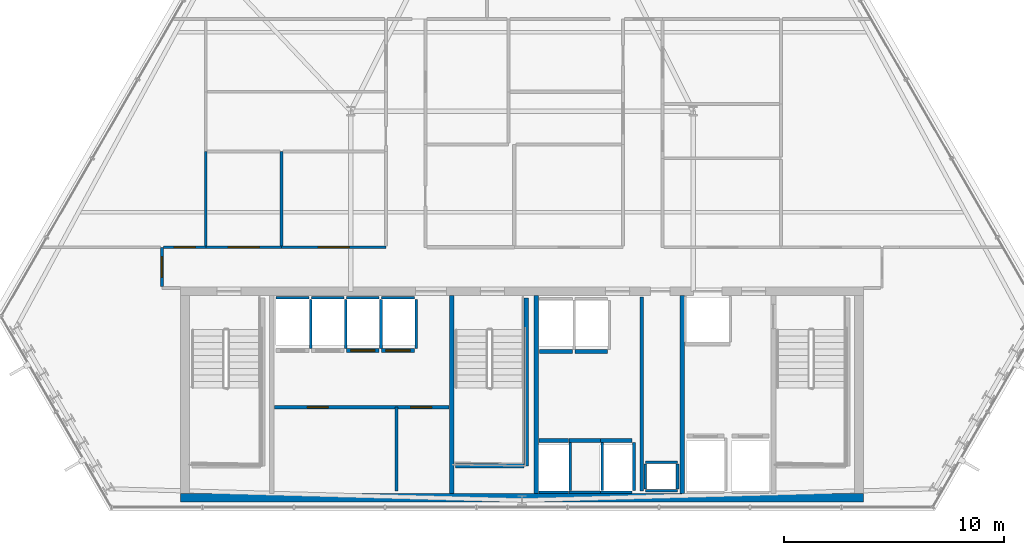
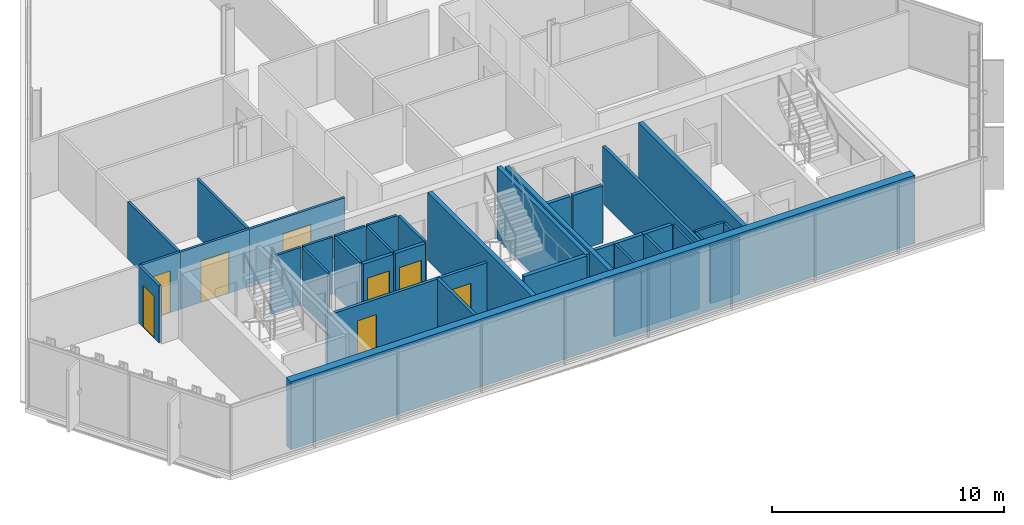
# One storey, part 28 of 35: 40 walls, 8 doors, 8 openings.
"""IFC4 building model written with IfcOpenShell, lengths in metres."""

from ifc_helpers import new_model, si_unit, direction, frame, frame_2d, origin, place, context, subcontext, project, spatial, rectangle, extrude, material, layer, layer_set, type_object, element, fill, save


model = new_model("IFC4")

# Units and contexts
model_context = context("Model", 3, precision=1e-05, world=origin(), true_north=direction((0.0, 1.0)))
body_context = subcontext(model_context, "Body", "Model", "MODEL_VIEW")
ifc_project = project(units=[si_unit("LENGTHUNIT", "METRE"), si_unit("AREAUNIT", "SQUARE_METRE"), si_unit("VOLUMEUNIT", "CUBIC_METRE"), si_unit("PLANEANGLEUNIT", "RADIAN"), si_unit("MASSUNIT", "GRAM", prefix="KILO")], contexts=[model_context])

# Site, building, storey
site_placement = place(None, origin())
site = spatial("IfcSite", under=ifc_project, at=site_placement, CompositionType="ELEMENT")
building_placement = place(site_placement, origin())
building = spatial("IfcBuilding", under=site, at=building_placement, Name="Ndaravel Arena Tower", CompositionType="ELEMENT")
storey_placement = place(building_placement, frame((0.0, 0.0, 172.60009765625)))
storey = spatial("IfcBuildingStorey", under=building, at=storey_placement, Name="L41", CompositionType="ELEMENT", Elevation=172.60009765625)

# Wall
ifc_material_1 = material(Name="Gypsum", Category="gypsum")
ifc_layer_1 = layer(ifc_material_1, 0.14990234375)
ifc_layer_set_1 = layer_set([ifc_layer_1], Name="Gypsum")
wall_type_1 = type_object("IfcWallType", Name="WALL-COMP-150", PredefinedType="PARTITIONING", material=ifc_layer_set_1)
wall_1_placement = place(storey_placement, frame((47.449951171875, 5.89990234375, 0.0), z_axis=(0.0, 0.0, 1.0), x_axis=(0.0, 1.0, 0.0)))
element("IfcWall", 1, at=wall_1_placement, inside=storey, type_object=wall_type_1, Name="L41 Core Riser Bay Partition", PredefinedType="PARTITIONING", context=body_context, shape_type="SweptSolid", body=[
    extrude(rectangle(XDim=8.85009765625, YDim=0.14990234375, at=frame_2d((4.425048828125, 0.0))), origin(), (0.0, 0.0, 1.0), 3.010498046875),
])

# Wall, openings, doors
wall_2_placement = place(storey_placement, frame((30.719970703125, 9.719970703125, 0.0), z_axis=(0.0, 0.0, 1.0), x_axis=(1.0, 0.0, 0.0)))
wall_2 = element("IfcWall", 2, at=wall_2_placement, inside=storey, type_object=wall_type_1, Name="L41 Reclaimed Shaft Partition", PredefinedType="PARTITIONING", context=body_context, shape_type="SweptSolid", body=[
    extrude(rectangle(XDim=7.9599609375, YDim=0.14990234375, at=frame_2d((3.97998046875, 0.0))), origin(), (0.0, 0.0, 1.0), 3.010498046875),
])
opening_1_placement = place(wall_2_placement, frame((1.5, 0.0, 0.0)))
opening_1 = element("IfcOpeningElement", 3, at=opening_1_placement, cuts=wall_2, Name="Opening FD-03", PredefinedType="OPENING", context=body_context, shape_type="SweptSolid", body=[
    extrude(rectangle(XDim=0.949951171875, YDim=2.199951171875, at=frame_2d((0.47509765625, 1.10009765625))), frame((0.0, 0.074951171875, 0.0), z_axis=(0.0, -1.0, 0.0), x_axis=(1.0, 0.0, 0.0)), (0.0, 0.0, 1.0), 0.14990234375),
])
opening_2_placement = place(wall_2_placement, frame((6.2099609375, 0.0, 0.0)))
opening_2 = element("IfcOpeningElement", 4, at=opening_2_placement, cuts=wall_2, Name="Opening FD-03", PredefinedType="OPENING", context=body_context, shape_type="SweptSolid", body=[
    extrude(rectangle(XDim=0.949951171875, YDim=2.199951171875, at=frame_2d((0.47509765625, 1.10009765625))), frame((0.0, 0.074951171875, 0.0), z_axis=(0.0, -1.0, 0.0), x_axis=(1.0, 0.0, 0.0)), (0.0, 0.0, 1.0), 0.14990234375),
])
ifc_material_2 = material(Name="Steel S355", Category="steel")
door_type_1 = type_object("IfcDoorType", Name="DT-11-CORE-950", OperationType="SINGLE_SWING_LEFT", PredefinedType="DOOR", material=ifc_material_2)
door_1_placement = place(opening_1_placement, origin())
door_1 = element("IfcDoor", 5, at=door_1_placement, inside=storey, type_object=door_type_1, Name="L41 ICT Server Room Door", OperationType="SINGLE_SWING_LEFT", OverallHeight=2.199951171875, OverallWidth=0.949951171875, PredefinedType="DOOR", context=body_context, shape_type="SweptSolid", body=[
    extrude(rectangle(XDim=0.949951171875, YDim=2.199951171875, at=frame_2d((0.47509765625, 1.10009765625))), frame((0.0, 0.02490234375, 0.0), z_axis=(0.0, -1.0, 0.0), x_axis=(1.0, 0.0, 0.0)), (0.0, 0.0, 1.0), 0.050048828125),
])
fill(opening_1, door_1)
door_2_placement = place(opening_2_placement, origin())
door_2 = element("IfcDoor", 6, at=door_2_placement, inside=storey, type_object=door_type_1, Name="L41 Core Archive Room Door", OperationType="SINGLE_SWING_RIGHT", OverallHeight=2.199951171875, OverallWidth=0.949951171875, PredefinedType="DOOR", context=body_context, shape_type="SweptSolid", body=[
    extrude(rectangle(XDim=0.949951171875, YDim=2.199951171875, at=frame_2d((0.47509765625, 1.10009765625))), frame((0.0, 0.02490234375, 0.0), z_axis=(0.0, -1.0, 0.0), x_axis=(1.0, 0.0, 0.0)), (0.0, 0.0, 1.0), 0.050048828125),
])
fill(opening_2, door_2)

# Walls
wall_3_placement = place(storey_placement, frame((36.280029296875, 5.89990234375, 0.0), z_axis=(0.0, 0.0, 1.0), x_axis=(0.0, 1.0, 0.0)))
element("IfcWall", 7, at=wall_3_placement, inside=storey, type_object=wall_type_1, Name="L41 Reclaimed Bay Divider", PredefinedType="PARTITIONING", context=body_context, shape_type="SweptSolid", body=[
    extrude(rectangle(XDim=3.820068359375, YDim=0.14990234375, at=frame_2d((1.91015625, 0.0))), origin(), (0.0, 0.0, 1.0), 3.010498046875),
])
ifc_material_3 = material(Name="Concrete C50/60", Category="concrete")
ifc_layer_2 = layer(ifc_material_3, 0.219970703125)
ifc_layer_set_2 = layer_set([ifc_layer_2], Name="Concrete C50/60")
wall_type_2 = type_object("IfcWallType", Name="WALL-CORE-220", PredefinedType="SOLIDWALL", material=ifc_layer_set_2)
for number, where, z_axis, x_axis, name in (
    (8, (38.800048828125, 5.800048828125, 0.0), (0.0, 0.0, 1.0), (0.0, 1.0, 0.0), "L41 Core Web Shear Wall 2"),
    (9, (42.64990234375, 5.800048828125, 0.0), (0.0, 0.0, 1.0), (0.0, 1.0, 0.0), "L41 Core Web Shear Wall 3"),
    (10, (49.300048828125, 5.800048828125, 0.0), (0.0, 0.0, 1.0), (0.0, 1.0, 0.0), "L41 Core Web Shear Wall 4"),
):
    element("IfcWall", number, at=place(storey_placement, frame(where, z_axis=z_axis, x_axis=x_axis)), inside=storey, type_object=wall_type_2, Name=name, PredefinedType="SOLIDWALL", context=body_context, shape_type="SweptSolid", body=[
        extrude(rectangle(XDim=9.0, YDim=0.219970703125, at=frame_2d((4.5, 0.0))), origin(), (0.0, 0.0, 1.0), 3.579833984375),
    ])
ifc_material_4 = material(Name="Concrete C50/60", Category="concrete")
ifc_layer_3 = layer(ifc_material_4, 0.39990234375)
ifc_layer_set_3 = layer_set([ifc_layer_3], Name="Concrete C50/60")
wall_type_3 = type_object("IfcWallType", Name="WALL-CORE-400", PredefinedType="SOLIDWALL", material=ifc_layer_set_3)
wall_4_placement = place(storey_placement, frame((26.449951171875, 5.60009765625, 0.0), z_axis=(0.0, 0.0, 1.0), x_axis=(1.0, 0.0, 0.0)))
element("IfcWall", 11, at=wall_4_placement, inside=storey, type_object=wall_type_3, Name="L41 Core South Shear Wall", PredefinedType="SOLIDWALL", context=body_context, shape_type="SweptSolid", body=[
    extrude(rectangle(XDim=31.10009765625, YDim=0.39990234375, at=frame_2d((15.550048828125, 0.0))), origin(), (0.0, 0.0, 1.0), 3.579833984375),
])

# Wall, opening, door
ifc_material_5 = material(Name="Gypsum", Category="gypsum")
ifc_layer_4 = layer(ifc_material_5, 0.125)
ifc_layer_set_4 = layer_set([ifc_layer_4], Name="Gypsum")
wall_type_4 = type_object("IfcWallType", Name="WALL-PART-125", PredefinedType="PARTITIONING", material=ifc_layer_set_4)
wall_5_placement = place(storey_placement, frame((25.60009765625, 15.215087890625, 0.0), z_axis=(0.0, 0.0, 1.0), x_axis=(0.0, 1.0, 0.0)))
wall_5 = element("IfcWall", 12, at=wall_5_placement, inside=storey, type_object=wall_type_4, Name="L41 Interior Partition 004", PredefinedType="PARTITIONING", context=body_context, shape_type="SweptSolid", body=[
    extrude(rectangle(XDim=1.784912109375, YDim=0.125, at=frame_2d((0.892578125, 0.0))), origin(), (0.0, 0.0, 1.0), 3.010498046875),
])
opening_3_placement = place(wall_5_placement, frame((0.41748046875, 0.0, 0.0)))
opening_3 = element("IfcOpeningElement", 13, at=opening_3_placement, cuts=wall_5, Name="Opening ID-01", PredefinedType="OPENING", context=body_context, shape_type="SweptSolid", body=[
    extrude(rectangle(XDim=0.949951171875, YDim=2.199951171875, at=frame_2d((0.47509765625, 1.10009765625))), frame((0.0, 0.0625, 0.0), z_axis=(0.0, -1.0, 0.0), x_axis=(1.0, 0.0, 0.0)), (0.0, 0.0, 1.0), 0.125),
])
ifc_material_6 = material(Name="Timber", Category="wood")
door_type_2 = type_object("IfcDoorType", Name="DT-03-OFFICE-950", OperationType="SINGLE_SWING_LEFT", PredefinedType="DOOR", material=ifc_material_6)
door_3_placement = place(opening_3_placement, origin())
door_3 = element("IfcDoor", 14, at=door_3_placement, inside=storey, type_object=door_type_2, Name="L41 Executive Boardroom Door", OperationType="SINGLE_SWING_RIGHT", OverallHeight=2.199951171875, OverallWidth=0.949951171875, PredefinedType="DOOR", context=body_context, shape_type="SweptSolid", body=[
    extrude(rectangle(XDim=0.949951171875, YDim=2.199951171875, at=frame_2d((0.47509765625, 1.10009765625))), frame((0.0, 0.02490234375, 0.0), z_axis=(0.0, -1.0, 0.0), x_axis=(1.0, 0.0, 0.0)), (0.0, 0.0, 1.0), 0.050048828125),
])
fill(opening_3, door_3)

wall_6_placement = place(storey_placement, frame((25.6650390625, 17.0, 0.0), z_axis=(0.0, 0.0, 1.0), x_axis=(1.0, 0.0, 0.0)))
wall_6 = element("IfcWall", 15, at=wall_6_placement, inside=storey, type_object=wall_type_4, Name="L41 Interior Partition 005", PredefinedType="PARTITIONING", context=body_context, shape_type="SweptSolid", body=[
    extrude(rectangle(XDim=1.93505859375, YDim=0.125, at=frame_2d((0.967529296875, 0.0))), origin(), (0.0, 0.0, 1.0), 3.010498046875),
])
opening_4_placement = place(wall_6_placement, frame((0.492431640625, 0.0, 0.0)))
opening_4 = element("IfcOpeningElement", 16, at=opening_4_placement, cuts=wall_6, Name="Opening ID-01", PredefinedType="OPENING", context=body_context, shape_type="SweptSolid", body=[
    extrude(rectangle(XDim=0.949951171875, YDim=2.199951171875, at=frame_2d((0.47509765625, 1.10009765625))), frame((0.0, 0.0625, 0.0), z_axis=(0.0, -1.0, 0.0), x_axis=(1.0, 0.0, 0.0)), (0.0, 0.0, 1.0), 0.125),
])
door_4_placement = place(opening_4_placement, origin())
door_4 = element("IfcDoor", 17, at=door_4_placement, inside=storey, type_object=door_type_2, Name="L41 Refreshment Kiosk 2 Door", OperationType="SINGLE_SWING_LEFT", OverallHeight=2.199951171875, OverallWidth=0.949951171875, PredefinedType="DOOR", context=body_context, shape_type="SweptSolid", body=[
    extrude(rectangle(XDim=0.949951171875, YDim=2.199951171875, at=frame_2d((0.47509765625, 1.10009765625))), frame((0.0, 0.02490234375, 0.0), z_axis=(0.0, -1.0, 0.0), x_axis=(1.0, 0.0, 0.0)), (0.0, 0.0, 1.0), 0.050048828125),
])
fill(opening_4, door_4)

wall_7_placement = place(storey_placement, frame((27.60009765625, 17.0, 0.0), z_axis=(0.0, 0.0, 1.0), x_axis=(1.0, 0.0, 0.0)))
wall_7 = element("IfcWall", 18, at=wall_7_placement, inside=storey, type_object=wall_type_4, Name="L41 Interior Partition 006", PredefinedType="PARTITIONING", context=body_context, shape_type="SweptSolid", body=[
    extrude(rectangle(XDim=3.44384765625, YDim=0.125, at=frame_2d((1.721923828125, 0.0))), origin(), (0.0, 0.0, 1.0), 3.010498046875),
])
opening_5_placement = place(wall_7_placement, frame((1.02197265625, 0.0, 0.0)))
opening_5 = element("IfcOpeningElement", 19, at=opening_5_placement, cuts=wall_7, Name="Opening ID-02", PredefinedType="OPENING", context=body_context, shape_type="SweptSolid", body=[
    extrude(rectangle(XDim=1.39990234375, YDim=2.199951171875, at=frame_2d((0.699951171875, 1.10009765625))), frame((0.0, 0.0625, 0.0), z_axis=(0.0, -1.0, 0.0), x_axis=(1.0, 0.0, 0.0)), (0.0, 0.0, 1.0), 0.125),
])
ifc_material_7 = material(Name="Timber", Category="wood")
door_type_3 = type_object("IfcDoorType", Name="DT-04-SUITE-1400", OperationType="DOUBLE_DOOR_SINGLE_SWING", PredefinedType="DOOR", material=ifc_material_7)
door_5_placement = place(opening_5_placement, origin())
door_5 = element("IfcDoor", 20, at=door_5_placement, inside=storey, type_object=door_type_3, Name="L41 Visitor Reception Desk Door", OperationType="SINGLE_SWING_LEFT", OverallHeight=2.199951171875, OverallWidth=1.39990234375, PredefinedType="DOOR", context=body_context, shape_type="SweptSolid", body=[
    extrude(rectangle(XDim=1.39990234375, YDim=2.199951171875, at=frame_2d((0.699951171875, 1.10009765625))), frame((0.0, 0.02490234375, 0.0), z_axis=(0.0, -1.0, 0.0), x_axis=(1.0, 0.0, 0.0)), (0.0, 0.0, 1.0), 0.050048828125),
])
fill(opening_5, door_5)

wall_8_placement = place(storey_placement, frame((31.0439453125, 17.0, 0.0), z_axis=(0.0, 0.0, 1.0), x_axis=(1.0, 0.0, 0.0)))
wall_8 = element("IfcWall", 21, at=wall_8_placement, inside=storey, type_object=wall_type_4, Name="L41 Interior Partition 007", PredefinedType="PARTITIONING", context=body_context, shape_type="SweptSolid", body=[
    extrude(rectangle(XDim=4.756103515625, YDim=0.125, at=frame_2d((2.3779296875, 0.0))), origin(), (0.0, 0.0, 1.0), 3.010498046875),
])
opening_6_placement = place(wall_8_placement, frame((1.677978515625, 0.0, 0.0)))
opening_6 = element("IfcOpeningElement", 22, at=opening_6_placement, cuts=wall_8, Name="Opening ID-02", PredefinedType="OPENING", context=body_context, shape_type="SweptSolid", body=[
    extrude(rectangle(XDim=1.39990234375, YDim=2.199951171875, at=frame_2d((0.699951171875, 1.10009765625))), frame((0.0, 0.0625, 0.0), z_axis=(0.0, -1.0, 0.0), x_axis=(1.0, 0.0, 0.0)), (0.0, 0.0, 1.0), 0.125),
])
door_6_placement = place(opening_6_placement, origin())
door_6 = element("IfcDoor", 23, at=door_6_placement, inside=storey, type_object=door_type_3, Name="L41 Client Conference Room 2 Door", OperationType="SINGLE_SWING_RIGHT", OverallHeight=2.199951171875, OverallWidth=1.39990234375, PredefinedType="DOOR", context=body_context, shape_type="SweptSolid", body=[
    extrude(rectangle(XDim=1.39990234375, YDim=2.199951171875, at=frame_2d((0.699951171875, 1.10009765625))), frame((0.0, 0.02490234375, 0.0), z_axis=(0.0, -1.0, 0.0), x_axis=(1.0, 0.0, 0.0)), (0.0, 0.0, 1.0), 0.050048828125),
])
fill(opening_6, door_6)

# Walls
for number, where, z_axis, x_axis, name in (
    (24, (31.0439453125, 21.367919921875, 0.0), (0.0, 0.0, 1.0), (0.0, -1.0, 0.0), "L41 Interior Partition 030"),
    (25, (27.60009765625, 17.06494140625, 0.0), (0.0, 0.0, 1.0), (0.0, 1.0, 0.0), "L41 Interior Partition 031"),
):
    element("IfcWall", number, at=place(storey_placement, frame(where, z_axis=z_axis, x_axis=x_axis)), inside=storey, type_object=wall_type_4, Name=name, PredefinedType="PARTITIONING", context=body_context, shape_type="SweptSolid", body=[
        extrude(rectangle(XDim=4.302978515625, YDim=0.125, at=frame_2d((2.1513671875, 0.0))), origin(), (0.0, 0.0, 1.0), 3.010498046875),
    ])
ifc_material_8 = material(Name="Concrete C40/50", Category="concrete")
ifc_layer_5 = layer(ifc_material_8, 0.1201171875)
ifc_layer_set_5 = layer_set([ifc_layer_5], Name="Concrete C40/50")
wall_type_5 = type_object("IfcWallType", Name="WALL-SHAFT-120", PredefinedType="SOLIDWALL", material=ifc_layer_set_5)
for number, where, z_axis, x_axis, name in (
    (26, (47.6201171875, 5.919921875, 0.0), (0.0, 0.0, 1.0), (1.0, 0.0, 0.0), "L41 MEP Riser Shaft S Wall"),
    (27, (47.6201171875, 7.219970703125, 0.0), (0.0, 0.0, 1.0), (1.0, 0.0, 0.0), "L41 MEP Riser Shaft N Wall"),
):
    element("IfcWall", number, at=place(storey_placement, frame(where, z_axis=z_axis, x_axis=x_axis)), inside=storey, type_object=wall_type_5, Name=name, PredefinedType="SOLIDWALL", context=body_context, shape_type="SweptSolid", body=[
        extrude(rectangle(XDim=1.4599609375, YDim=0.1201171875, at=frame_2d((0.72998046875, 0.0))), origin(), (0.0, 0.0, 1.0), 3.010498046875),
    ])
for number, where, z_axis, x_axis, name in (
    (28, (47.6201171875, 6.0, 0.0), (0.0, 0.0, 1.0), (0.0, 1.0, 0.0), "L41 MEP Riser Shaft W Wall"),
    (29, (49.080078125, 6.0, 0.0), (0.0, 0.0, 1.0), (0.0, 1.0, 0.0), "L41 MEP Riser Shaft E Wall"),
):
    element("IfcWall", number, at=place(storey_placement, frame(where, z_axis=z_axis, x_axis=x_axis)), inside=storey, type_object=wall_type_5, Name=name, PredefinedType="SOLIDWALL", context=body_context, shape_type="SweptSolid", body=[
        extrude(rectangle(XDim=1.139892578125, YDim=0.1201171875, at=frame_2d((0.56982421875, 0.0))), origin(), (0.0, 0.0, 1.0), 3.010498046875),
    ])
wall_9_placement = place(storey_placement, frame((30.804931640625, 14.7099609375, 0.0), z_axis=(0.0, 0.0, 1.0), x_axis=(1.0, 0.0, 0.0)))
element("IfcWall", 30, at=wall_9_placement, inside=storey, type_object=wall_type_5, Name="L41 PL-M1 Shaft Rear Wall", PredefinedType="SOLIDWALL", context=body_context, shape_type="SweptSolid", body=[
    extrude(rectangle(XDim=1.489990234375, YDim=0.1201171875, at=frame_2d((0.7451171875, 0.0))), origin(), (0.0, 0.0, 1.0), 3.010498046875),
])
wall_10_placement = place(storey_placement, frame((32.375, 12.389892578125, 0.0), z_axis=(0.0, 0.0, 1.0), x_axis=(0.0, 1.0, 0.0)))
element("IfcWall", 31, at=wall_10_placement, inside=storey, type_object=wall_type_5, Name="L41 PL-M1 Shaft Side R Wall", PredefinedType="SOLIDWALL", context=body_context, shape_type="SweptSolid", body=[
    extrude(rectangle(XDim=2.230224609375, YDim=0.1201171875, at=frame_2d((1.115234375, 0.0))), origin(), (0.0, 0.0, 1.0), 3.010498046875),
])
wall_11_placement = place(storey_placement, frame((32.405029296875, 14.7099609375, 0.0), z_axis=(0.0, 0.0, 1.0), x_axis=(1.0, 0.0, 0.0)))
element("IfcWall", 32, at=wall_11_placement, inside=storey, type_object=wall_type_5, Name="L41 PL-M2 Shaft Rear Wall", PredefinedType="SOLIDWALL", context=body_context, shape_type="SweptSolid", body=[
    extrude(rectangle(XDim=1.489990234375, YDim=0.1201171875, at=frame_2d((0.7451171875, 0.0))), origin(), (0.0, 0.0, 1.0), 3.010498046875),
])
wall_12_placement = place(storey_placement, frame((33.97509765625, 12.389892578125, 0.0), z_axis=(0.0, 0.0, 1.0), x_axis=(0.0, 1.0, 0.0)))
element("IfcWall", 33, at=wall_12_placement, inside=storey, type_object=wall_type_5, Name="L41 PL-M2 Shaft Side R Wall", PredefinedType="SOLIDWALL", context=body_context, shape_type="SweptSolid", body=[
    extrude(rectangle(XDim=2.230224609375, YDim=0.1201171875, at=frame_2d((1.115234375, 0.0))), origin(), (0.0, 0.0, 1.0), 3.010498046875),
])
wall_13_placement = place(storey_placement, frame((34.0048828125, 14.7099609375, 0.0), z_axis=(0.0, 0.0, 1.0), x_axis=(1.0, 0.0, 0.0)))
element("IfcWall", 34, at=wall_13_placement, inside=storey, type_object=wall_type_5, Name="L41 PL-M3 Shaft Rear Wall", PredefinedType="SOLIDWALL", context=body_context, shape_type="SweptSolid", body=[
    extrude(rectangle(XDim=1.490234375, YDim=0.1201171875, at=frame_2d((0.7451171875, 0.0))), origin(), (0.0, 0.0, 1.0), 3.010498046875),
])
wall_14_placement = place(storey_placement, frame((35.574951171875, 12.389892578125, 0.0), z_axis=(0.0, 0.0, 1.0), x_axis=(0.0, 1.0, 0.0)))
element("IfcWall", 35, at=wall_14_placement, inside=storey, type_object=wall_type_5, Name="L41 PL-M3 Shaft Side R Wall", PredefinedType="SOLIDWALL", context=body_context, shape_type="SweptSolid", body=[
    extrude(rectangle(XDim=2.230224609375, YDim=0.1201171875, at=frame_2d((1.115234375, 0.0))), origin(), (0.0, 0.0, 1.0), 3.010498046875),
])
wall_15_placement = place(storey_placement, frame((35.60498046875, 14.7099609375, 0.0), z_axis=(0.0, 0.0, 1.0), x_axis=(1.0, 0.0, 0.0)))
element("IfcWall", 36, at=wall_15_placement, inside=storey, type_object=wall_type_5, Name="L41 PL-M4 Shaft Rear Wall", PredefinedType="SOLIDWALL", context=body_context, shape_type="SweptSolid", body=[
    extrude(rectangle(XDim=1.489990234375, YDim=0.1201171875, at=frame_2d((0.7451171875, 0.0))), origin(), (0.0, 0.0, 1.0), 3.010498046875),
])
wall_16_placement = place(storey_placement, frame((37.175048828125, 12.389892578125, 0.0), z_axis=(0.0, 0.0, 1.0), x_axis=(0.0, 1.0, 0.0)))
element("IfcWall", 37, at=wall_16_placement, inside=storey, type_object=wall_type_5, Name="L41 PL-M4 Shaft Side R Wall", PredefinedType="SOLIDWALL", context=body_context, shape_type="SweptSolid", body=[
    extrude(rectangle(XDim=2.230224609375, YDim=0.1201171875, at=frame_2d((1.115234375, 0.0))), origin(), (0.0, 0.0, 1.0), 3.010498046875),
])
wall_17_placement = place(storey_placement, frame((42.780029296875, 5.840087890625, 0.0), z_axis=(0.0, 0.0, 1.0), x_axis=(1.0, 0.0, 0.0)))
element("IfcWall", 38, at=wall_17_placement, inside=storey, type_object=wall_type_5, Name="L41 PL-H1 Shaft Rear Wall", PredefinedType="SOLIDWALL", context=body_context, shape_type="SweptSolid", body=[
    extrude(rectangle(XDim=1.340087890625, YDim=0.1201171875, at=frame_2d((0.669921875, 0.0))), origin(), (0.0, 0.0, 1.0), 3.010498046875),
])
wall_18_placement = place(storey_placement, frame((44.199951171875, 5.929931640625, 0.0), z_axis=(0.0, 0.0, 1.0), x_axis=(0.0, 1.0, 0.0)))
element("IfcWall", 39, at=wall_18_placement, inside=storey, type_object=wall_type_5, Name="L41 PL-H1 Shaft Side R Wall", PredefinedType="SOLIDWALL", context=body_context, shape_type="SweptSolid", body=[
    extrude(rectangle(XDim=2.18017578125, YDim=0.1201171875, at=frame_2d((1.090087890625, 0.0))), origin(), (0.0, 0.0, 1.0), 3.010498046875),
])
wall_19_placement = place(storey_placement, frame((44.1298828125, 5.840087890625, 0.0), z_axis=(0.0, 0.0, 1.0), x_axis=(1.0, 0.0, 0.0)))
element("IfcWall", 40, at=wall_19_placement, inside=storey, type_object=wall_type_5, Name="L41 PL-H2 Shaft Rear Wall", PredefinedType="SOLIDWALL", context=body_context, shape_type="SweptSolid", body=[
    extrude(rectangle(XDim=1.440185546875, YDim=0.1201171875, at=frame_2d((0.72021484375, 0.0))), origin(), (0.0, 0.0, 1.0), 3.010498046875),
])
wall_20_placement = place(storey_placement, frame((45.64990234375, 5.929931640625, 0.0), z_axis=(0.0, 0.0, 1.0), x_axis=(0.0, 1.0, 0.0)))
element("IfcWall", 41, at=wall_20_placement, inside=storey, type_object=wall_type_5, Name="L41 PL-H2 Shaft Side R Wall", PredefinedType="SOLIDWALL", context=body_context, shape_type="SweptSolid", body=[
    extrude(rectangle(XDim=2.18017578125, YDim=0.1201171875, at=frame_2d((1.090087890625, 0.0))), origin(), (0.0, 0.0, 1.0), 3.010498046875),
])
wall_21_placement = place(storey_placement, frame((45.580078125, 5.840087890625, 0.0), z_axis=(0.0, 0.0, 1.0), x_axis=(1.0, 0.0, 0.0)))
element("IfcWall", 42, at=wall_21_placement, inside=storey, type_object=wall_type_5, Name="L41 PL-H3 Shaft Rear Wall", PredefinedType="SOLIDWALL", context=body_context, shape_type="SweptSolid", body=[
    extrude(rectangle(XDim=1.43994140625, YDim=0.1201171875, at=frame_2d((0.719970703125, 0.0))), origin(), (0.0, 0.0, 1.0), 3.010498046875),
])
wall_22_placement = place(storey_placement, frame((47.10009765625, 5.929931640625, 0.0), z_axis=(0.0, 0.0, 1.0), x_axis=(0.0, 1.0, 0.0)))
element("IfcWall", 43, at=wall_22_placement, inside=storey, type_object=wall_type_5, Name="L41 PL-H3 Shaft Side R Wall", PredefinedType="SOLIDWALL", context=body_context, shape_type="SweptSolid", body=[
    extrude(rectangle(XDim=2.18017578125, YDim=0.1201171875, at=frame_2d((1.090087890625, 0.0))), origin(), (0.0, 0.0, 1.0), 3.010498046875),
])
ifc_material_9 = material(Name="Concrete C40/50", Category="concrete")
ifc_layer_6 = layer(ifc_material_9, 0.199951171875)
ifc_layer_set_6 = layer_set([ifc_layer_6], Name="Concrete C40/50")
wall_type_6 = type_object("IfcWallType", Name="WALL-SHAFT-200", PredefinedType="SOLIDWALL", material=ifc_layer_set_6)
wall_23_placement = place(storey_placement, frame((42.18994140625, 14.699951171875, 0.0), z_axis=(0.0, 0.0, 1.0), x_axis=(0.0, -1.0, 0.0)))
element("IfcWall", 44, at=wall_23_placement, inside=storey, type_object=wall_type_6, Name="L41 ST-2 Structural Shaft Wall Right", PredefinedType="SOLIDWALL", context=body_context, shape_type="SweptSolid", body=[
    extrude(rectangle(XDim=7.64990234375, YDim=0.199951171875, at=frame_2d((3.824951171875, 0.0))), origin(), (0.0, 0.0, 1.0), 3.7998046875),
])
wall_24_placement = place(storey_placement, frame((38.969970703125, 7.050048828125, 0.0), z_axis=(0.0, 0.0, 1.0), x_axis=(1.0, 0.0, 0.0)))
element("IfcWall", 45, at=wall_24_placement, inside=storey, type_object=wall_type_6, Name="L41 ST-2 Structural Shaft Wall Far", PredefinedType="SOLIDWALL", context=body_context, shape_type="SweptSolid", body=[
    extrude(rectangle(XDim=3.114990234375, YDim=0.199951171875, at=frame_2d((1.5576171875, 0.0))), origin(), (0.0, 0.0, 1.0), 3.7998046875),
])

# Wall, opening, door
wall_25_placement = place(storey_placement, frame((34.0048828125, 12.300048828125, 0.0), z_axis=(0.0, 0.0, 1.0), x_axis=(1.0, 0.0, 0.0)))
wall_25 = element("IfcWall", 46, at=wall_25_placement, inside=storey, type_object=wall_type_6, Name="L41 PL-M3 Shaft Landing Wall", PredefinedType="SOLIDWALL", context=body_context, shape_type="SweptSolid", body=[
    extrude(rectangle(XDim=1.490234375, YDim=0.179931640625, at=frame_2d((0.7451171875, 0.0))), origin(), (0.0, 0.0, 1.0), 3.010498046875),
])
opening_7_placement = place(wall_25_placement, frame((0.195068359375, 0.0, 0.0)))
opening_7 = element("IfcOpeningElement", 47, at=opening_7_placement, cuts=wall_25, Name="Opening LD-01", PredefinedType="OPENING", context=body_context, shape_type="SweptSolid", body=[
    extrude(rectangle(XDim=1.10009765625, YDim=2.199951171875, at=frame_2d((0.550048828125, 1.10009765625))), frame((0.0, 0.08984375, 0.0), z_axis=(0.0, -1.0, 0.0), x_axis=(1.0, 0.0, 0.0)), (0.0, 0.0, 1.0), 0.179931640625),
])
ifc_material_10 = material(Name="Steel S355", Category="steel")
door_type_4 = type_object("IfcDoorType", Name="DT-06-LIFT-1100", OperationType="SLIDING_TO_LEFT", PredefinedType="DOOR", material=ifc_material_10)
door_7_placement = place(opening_7_placement, origin())
door_7 = element("IfcDoor", 48, at=door_7_placement, inside=storey, type_object=door_type_4, Name="L41 Lift PL-M3 Sliding Landing Door", OperationType="SLIDING_TO_LEFT", OverallHeight=2.199951171875, OverallWidth=1.10009765625, PredefinedType="DOOR", context=body_context, shape_type="SweptSolid", body=[
    extrude(rectangle(XDim=1.10009765625, YDim=2.199951171875, at=frame_2d((0.550048828125, 1.10009765625))), frame((0.0, 0.02490234375, 0.0), z_axis=(0.0, -1.0, 0.0), x_axis=(1.0, 0.0, 0.0)), (0.0, 0.0, 1.0), 0.050048828125),
])
fill(opening_7, door_7)

wall_26_placement = place(storey_placement, frame((35.60498046875, 12.300048828125, 0.0), z_axis=(0.0, 0.0, 1.0), x_axis=(1.0, 0.0, 0.0)))
wall_26 = element("IfcWall", 49, at=wall_26_placement, inside=storey, type_object=wall_type_6, Name="L41 PL-M4 Shaft Landing Wall", PredefinedType="SOLIDWALL", context=body_context, shape_type="SweptSolid", body=[
    extrude(rectangle(XDim=1.489990234375, YDim=0.179931640625, at=frame_2d((0.7451171875, 0.0))), origin(), (0.0, 0.0, 1.0), 3.010498046875),
])
opening_8_placement = place(wall_26_placement, frame((0.195068359375, 0.0, 0.0)))
opening_8 = element("IfcOpeningElement", 50, at=opening_8_placement, cuts=wall_26, Name="Opening LD-01", PredefinedType="OPENING", context=body_context, shape_type="SweptSolid", body=[
    extrude(rectangle(XDim=1.10009765625, YDim=2.199951171875, at=frame_2d((0.550048828125, 1.10009765625))), frame((0.0, 0.08984375, 0.0), z_axis=(0.0, -1.0, 0.0), x_axis=(1.0, 0.0, 0.0)), (0.0, 0.0, 1.0), 0.179931640625),
])
door_8_placement = place(opening_8_placement, origin())
door_8 = element("IfcDoor", 51, at=door_8_placement, inside=storey, type_object=door_type_4, Name="L41 Lift PL-M4 Sliding Landing Door", OperationType="SLIDING_TO_LEFT", OverallHeight=2.199951171875, OverallWidth=1.10009765625, PredefinedType="DOOR", context=body_context, shape_type="SweptSolid", body=[
    extrude(rectangle(XDim=1.10009765625, YDim=2.199951171875, at=frame_2d((0.550048828125, 1.10009765625))), frame((0.0, 0.02490234375, 0.0), z_axis=(0.0, -1.0, 0.0), x_axis=(1.0, 0.0, 0.0)), (0.0, 0.0, 1.0), 0.050048828125),
])
fill(opening_8, door_8)

# Walls
wall_27_placement = place(storey_placement, frame((42.780029296875, 8.199951171875, 0.0), z_axis=(0.0, 0.0, 1.0), x_axis=(1.0, 0.0, 0.0)))
element("IfcWall", 52, at=wall_27_placement, inside=storey, type_object=wall_type_6, Name="L41 PL-H1 Shaft Landing Wall", PredefinedType="SOLIDWALL", context=body_context, shape_type="SweptSolid", body=[
    extrude(rectangle(XDim=1.340087890625, YDim=0.179931640625, at=frame_2d((0.669921875, 0.0))), origin(), (0.0, 0.0, 1.0), 3.010498046875),
])
wall_28_placement = place(storey_placement, frame((44.1298828125, 8.199951171875, 0.0), z_axis=(0.0, 0.0, 1.0), x_axis=(1.0, 0.0, 0.0)))
element("IfcWall", 53, at=wall_28_placement, inside=storey, type_object=wall_type_6, Name="L41 PL-H2 Shaft Landing Wall", PredefinedType="SOLIDWALL", context=body_context, shape_type="SweptSolid", body=[
    extrude(rectangle(XDim=1.440185546875, YDim=0.179931640625, at=frame_2d((0.72021484375, 0.0))), origin(), (0.0, 0.0, 1.0), 3.010498046875),
])
wall_29_placement = place(storey_placement, frame((45.580078125, 8.199951171875, 0.0), z_axis=(0.0, 0.0, 1.0), x_axis=(1.0, 0.0, 0.0)))
element("IfcWall", 54, at=wall_29_placement, inside=storey, type_object=wall_type_6, Name="L41 PL-H3 Shaft Landing Wall", PredefinedType="SOLIDWALL", context=body_context, shape_type="SweptSolid", body=[
    extrude(rectangle(XDim=1.43994140625, YDim=0.179931640625, at=frame_2d((0.719970703125, 0.0))), origin(), (0.0, 0.0, 1.0), 3.010498046875),
])
for number, where, z_axis, x_axis, name in (
    (55, (42.804931640625, 12.25, 0.0), (0.0, 0.0, 1.0), (1.0, 0.0, 0.0), "L41 PL-OBS1 Shaft Landing Wall"),
    (56, (44.405029296875, 12.25, 0.0), (0.0, 0.0, 1.0), (1.0, 0.0, 0.0), "L41 PL-OBS2 Shaft Landing Wall"),
):
    element("IfcWall", number, at=place(storey_placement, frame(where, z_axis=z_axis, x_axis=x_axis)), inside=storey, type_object=wall_type_6, Name=name, PredefinedType="SOLIDWALL", context=body_context, shape_type="SweptSolid", body=[
        extrude(rectangle(XDim=1.489990234375, YDim=0.179931640625, at=frame_2d((0.7451171875, 0.0))), origin(), (0.0, 0.0, 1.0), 3.010498046875),
    ])

save(model, "model.ifc")
